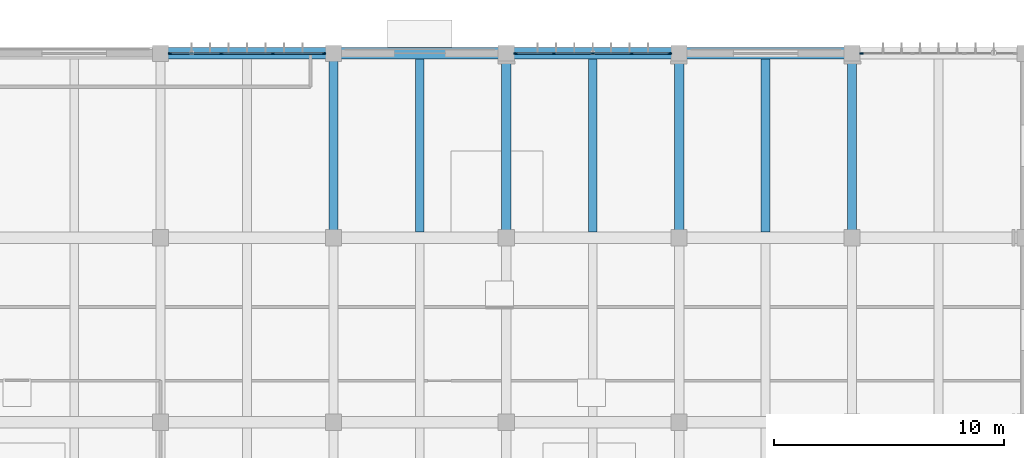
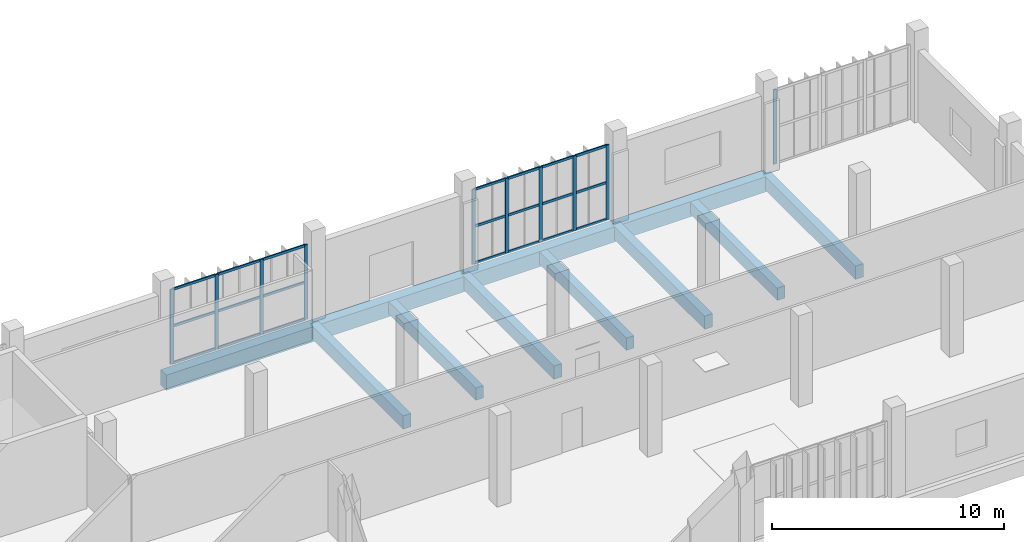
# One storey, part 23 of 72: 31 members, 11 beams, 3 elements without a shape of their own.
"""IFC4 building model written with IfcOpenShell, lengths in metres."""

from ifc_helpers import new_model, si_unit, direction, frame, origin, origin_2d, place, context, subcontext, project, spatial, rectangle, extrude, material, material_profile, profile_set, type_object, element, aggregate, save


model = new_model("IFC4")

# Units and contexts
model_context = context("Model", 3, precision=1e-05, world=origin(), true_north=direction((0.0, 1.0)))
body_context = subcontext(model_context, "Body", "Model", "MODEL_VIEW")
ifc_project = project(units=[si_unit("LENGTHUNIT", "METRE"), si_unit("AREAUNIT", "SQUARE_METRE"), si_unit("VOLUMEUNIT", "CUBIC_METRE"), si_unit("PLANEANGLEUNIT", "RADIAN"), si_unit("MASSUNIT", "GRAM", prefix="KILO")], contexts=[model_context])

# Site, building, storey
site_placement = place(None, origin())
site = spatial("IfcSite", under=ifc_project, at=site_placement, CompositionType="ELEMENT")
building_placement = place(site_placement, origin())
building = spatial("IfcBuilding", under=site, at=building_placement, Name="Vourika Railside Aquatics Centre", CompositionType="ELEMENT")
storey_placement = place(building_placement, origin())
storey = spatial("IfcBuildingStorey", under=building, at=storey_placement, Name="L00", CompositionType="ELEMENT", Elevation=0.0)

# Beams
ifc_material_1 = material(Name="Concrete C35/45", Category="concrete")
ifc_material_profile_1 = material_profile(ifc_material_1, rectangle(XDim=0.39990234375, YDim=0.699951171875, at=origin_2d()), Name="RC 400x700")
ifc_profile_set_1 = profile_set([ifc_material_profile_1], Name="Concrete C35/45")
beam_type_1 = type_object("IfcBeamType", Name="BM-GIRD-400x700", PredefinedType="BEAM", material=ifc_profile_set_1)
for number, where, z_axis, x_axis, name in (
    (1, (103.5, 108.0, -0.669921875), (0.0, 1.0, 0.0), (-1.0, 0.0, 0.0), "Floor Girder GY-L00-285"),
    (2, (111.0, 108.0, -0.669921875), (0.0, 1.0, 0.0), (-1.0, 0.0, 0.0), "Floor Girder GY-L00-293"),
    (3, (118.5, 108.0, -0.669921875), (0.0, 1.0, 0.0), (-1.0, 0.0, 0.0), "Floor Girder GY-L00-300"),
    (4, (126.0, 108.0, -0.669921875), (0.0, 1.0, 0.0), (-1.0, 0.0, 0.0), "Floor Girder GY-L00-309"),
):
    element("IfcBeam", number, at=place(storey_placement, frame(where, z_axis=z_axis, x_axis=x_axis)), inside=storey, type_object=beam_type_1, Name=name, PredefinedType="BEAM", context=body_context, shape_type="SweptSolid", body=[
        extrude(rectangle(XDim=0.39990234375, YDim=0.699951171875, at=origin_2d()), origin(), (0.0, 0.0, 1.0), 8.0),
    ])
ifc_material_profile_2 = material_profile(ifc_material_1, rectangle(XDim=0.3798828125, YDim=0.64990234375, at=origin_2d()), Name="RC 380x650")
ifc_profile_set_2 = profile_set([ifc_material_profile_2], Name="Concrete C35/45")
beam_type_2 = type_object("IfcBeamType", Name="BM-SEC-380x650", PredefinedType="JOIST", material=ifc_profile_set_2)
for number, where, z_axis, x_axis, name in (
    (5, (107.25, 108.25, -0.64501953125), (0.0, 1.0, 0.0), (-1.0, 0.0, 0.0), "Secondary Joist JY-L00-471"),
    (6, (114.75, 108.25, -0.64501953125), (0.0, 1.0, 0.0), (-1.0, 0.0, 0.0), "Secondary Joist JY-L00-472"),
    (7, (122.25, 108.25, -0.64501953125), (0.0, 1.0, 0.0), (-1.0, 0.0, 0.0), "Secondary Joist JY-L00-473"),
):
    element("IfcBeam", number, at=place(storey_placement, frame(where, z_axis=z_axis, x_axis=x_axis)), inside=storey, type_object=beam_type_2, Name=name, PredefinedType="JOIST", context=body_context, shape_type="SweptSolid", body=[
        extrude(rectangle(XDim=0.3798828125, YDim=0.64990234375, at=origin_2d()), origin(), (0.0, 0.0, 1.0), 7.5),
    ])
ifc_material_2 = material(Name="Concrete C40/50", Category="concrete")
ifc_material_profile_3 = material_profile(ifc_material_2, rectangle(XDim=0.5, YDim=0.800048828125, at=origin_2d()), Name="RC 500x800")
ifc_profile_set_3 = profile_set([ifc_material_profile_3], Name="Concrete C40/50")
beam_type_3 = type_object("IfcBeamType", Name="BM-TIE-500x800", PredefinedType="BEAM", material=ifc_profile_set_3)
for number, where, z_axis, x_axis, name in (
    (8, (96.0, 116.0, -0.719970703125), (1.0, 0.0, 0.0), (0.0, 1.0, 0.0), "Floor Beam GX-L00-183"),
    (9, (103.5, 116.0, -0.719970703125), (1.0, 0.0, 0.0), (0.0, 1.0, 0.0), "Floor Beam GX-L00-184"),
    (10, (111.0, 116.0, -0.719970703125), (1.0, 0.0, 0.0), (0.0, 1.0, 0.0), "Floor Beam GX-L00-185"),
    (11, (118.5, 116.0, -0.719970703125), (1.0, 0.0, 0.0), (0.0, 1.0, 0.0), "Floor Beam GX-L00-186"),
):
    element("IfcBeam", number, at=place(storey_placement, frame(where, z_axis=z_axis, x_axis=x_axis)), inside=storey, type_object=beam_type_3, Name=name, PredefinedType="BEAM", context=body_context, shape_type="SweptSolid", body=[
        extrude(rectangle(XDim=0.5, YDim=0.800048828125, at=origin_2d()), origin(), (0.0, 0.0, 1.0), 7.5),
    ])

# Curtain wall, members
ifc_material_3 = material(Name="Anodized thermally broken aluminium", Category="aluminium")
curtain_wall_type = type_object("IfcCurtainWallType", Name="CW-FIT0", PredefinedType="NOTDEFINED", material=ifc_material_3)
curtain_wall_1_placement = place(storey_placement, origin())
curtain_wall_1 = element("IfcCurtainWall", 12, at=curtain_wall_1_placement, inside=storey, type_object=curtain_wall_type, Name="North Boulevard Curtain Wall L00-11", PredefinedType="NOTDEFINED")
ifc_material_4 = material(Name="Anodized aluminium mullion", Category="aluminium")
ifc_material_profile_4 = material_profile(ifc_material_4, rectangle(XDim=0.06494140625, YDim=0.1640625, at=origin_2d()), Name="ALU-M 65x164")
ifc_profile_set_4 = profile_set([ifc_material_profile_4], Name="Anodized aluminium mullion")
member_type_1 = type_object("IfcMemberType", Name="CWM-FIT0", PredefinedType="MULLION", material=ifc_profile_set_4)
member_1_placement = place(storey_placement, frame((103.08740234375, 116.0, 0.0), z_axis=(0.0, 0.0, 1.0), x_axis=(0.0, -1.0, 0.0)))
member_1 = element("IfcMember", 13, at=member_1_placement, type_object=member_type_1, Name="CW14 mullion 1", PredefinedType="MULLION", context=body_context, shape_type="SweptSolid", body=[
    extrude(rectangle(XDim=0.06494140625, YDim=0.1640625, at=origin_2d()), origin(), (0.0, 0.0, 1.0), 3.929931640625),
])
member_2_placement = place(storey_placement, frame((100.873291015625, 116.0, 0.0), z_axis=(0.0, 0.0, 1.0), x_axis=(0.0, -1.0, 0.0)))
member_2 = element("IfcMember", 14, at=member_2_placement, type_object=member_type_1, Name="CW14 mullion 2", PredefinedType="MULLION", context=body_context, shape_type="SweptSolid", body=[
    extrude(rectangle(XDim=0.06494140625, YDim=0.1640625, at=origin_2d()), origin(), (0.0, 0.0, 1.0), 3.929931640625),
])
member_3_placement = place(storey_placement, frame((98.626708984375, 116.0, 0.0), z_axis=(0.0, 0.0, 1.0), x_axis=(0.0, -1.0, 0.0)))
member_3 = element("IfcMember", 15, at=member_3_placement, type_object=member_type_1, Name="CW14 mullion 3", PredefinedType="MULLION", context=body_context, shape_type="SweptSolid", body=[
    extrude(rectangle(XDim=0.06494140625, YDim=0.1640625, at=origin_2d()), origin(), (0.0, 0.0, 1.0), 3.929931640625),
])
member_4_placement = place(storey_placement, frame((96.41259765625, 116.0, 0.0), z_axis=(0.0, 0.0, 1.0), x_axis=(0.0, -1.0, 0.0)))
member_4 = element("IfcMember", 16, at=member_4_placement, type_object=member_type_1, Name="CW14 mullion 4", PredefinedType="MULLION", context=body_context, shape_type="SweptSolid", body=[
    extrude(rectangle(XDim=0.06494140625, YDim=0.1640625, at=origin_2d()), origin(), (0.0, 0.0, 1.0), 3.929931640625),
])

curtain_wall_2_placement = place(storey_placement, origin())
curtain_wall_2 = element("IfcCurtainWall", 17, at=curtain_wall_2_placement, inside=storey, type_object=curtain_wall_type, Name="North Boulevard Curtain Wall L00-13", PredefinedType="NOTDEFINED")
member_5_placement = place(storey_placement, frame((118.08740234375, 116.0, 0.0), z_axis=(0.0, 0.0, 1.0), x_axis=(0.0, -1.0, 0.0)))
member_5 = element("IfcMember", 18, at=member_5_placement, type_object=member_type_1, Name="CW14 mullion 1", PredefinedType="MULLION", context=body_context, shape_type="SweptSolid", body=[
    extrude(rectangle(XDim=0.06494140625, YDim=0.1640625, at=origin_2d()), origin(), (0.0, 0.0, 1.0), 3.929931640625),
])
member_6_placement = place(storey_placement, frame((116.43505859375, 116.0, 0.0), z_axis=(0.0, 0.0, 1.0), x_axis=(0.0, -1.0, 0.0)))
member_6 = element("IfcMember", 19, at=member_6_placement, type_object=member_type_1, Name="CW14 mullion 2", PredefinedType="MULLION", context=body_context, shape_type="SweptSolid", body=[
    extrude(rectangle(XDim=0.06494140625, YDim=0.1640625, at=origin_2d()), origin(), (0.0, 0.0, 1.0), 3.929931640625),
])
member_7_placement = place(storey_placement, frame((114.75, 116.0, 0.0), z_axis=(0.0, 0.0, 1.0), x_axis=(0.0, -1.0, 0.0)))
member_7 = element("IfcMember", 20, at=member_7_placement, type_object=member_type_1, Name="CW14 mullion 3", PredefinedType="MULLION", context=body_context, shape_type="SweptSolid", body=[
    extrude(rectangle(XDim=0.06494140625, YDim=0.1640625, at=origin_2d()), origin(), (0.0, 0.0, 1.0), 3.929931640625),
])
member_8_placement = place(storey_placement, frame((113.06494140625, 116.0, 0.0), z_axis=(0.0, 0.0, 1.0), x_axis=(0.0, -1.0, 0.0)))
member_8 = element("IfcMember", 21, at=member_8_placement, type_object=member_type_1, Name="CW14 mullion 4", PredefinedType="MULLION", context=body_context, shape_type="SweptSolid", body=[
    extrude(rectangle(XDim=0.06494140625, YDim=0.1640625, at=origin_2d()), origin(), (0.0, 0.0, 1.0), 3.929931640625),
])
member_9_placement = place(storey_placement, frame((111.41259765625, 116.0, 0.0), z_axis=(0.0, 0.0, 1.0), x_axis=(0.0, -1.0, 0.0)))
member_9 = element("IfcMember", 22, at=member_9_placement, type_object=member_type_1, Name="CW14 mullion 5", PredefinedType="MULLION", context=body_context, shape_type="SweptSolid", body=[
    extrude(rectangle(XDim=0.06494140625, YDim=0.1640625, at=origin_2d()), origin(), (0.0, 0.0, 1.0), 3.929931640625),
])

# Curtain wall, member
curtain_wall_3_placement = place(storey_placement, origin())
curtain_wall_3 = element("IfcCurtainWall", 23, at=curtain_wall_3_placement, inside=storey, type_object=curtain_wall_type, Name="North Boulevard Curtain Wall L00-15", PredefinedType="NOTDEFINED")
member_10_placement = place(storey_placement, frame((126.41259765625, 116.0, 0.0), z_axis=(0.0, 0.0, 1.0), x_axis=(0.0, -1.0, 0.0)))
member_10 = element("IfcMember", 24, at=member_10_placement, type_object=member_type_1, Name="CW14 mullion 4", PredefinedType="MULLION", context=body_context, shape_type="SweptSolid", body=[
    extrude(rectangle(XDim=0.06494140625, YDim=0.1640625, at=origin_2d()), origin(), (0.0, 0.0, 1.0), 3.929931640625),
])
aggregate(curtain_wall_3, [member_10])

# Member
ifc_material_5 = material(Name="Anodized aluminium transom", Category="aluminium")
ifc_material_profile_5 = material_profile(ifc_material_5, rectangle(XDim=0.06494140625, YDim=0.1279296875, at=origin_2d()), Name="ALU-T 65x128")
ifc_profile_set_5 = profile_set([ifc_material_profile_5], Name="Anodized aluminium transom")
member_type_2 = type_object("IfcMemberType", Name="CWT-FIT0", PredefinedType="USERDEFINED", material=ifc_profile_set_5)
member_11_placement = place(storey_placement, frame((103.054931640625, 116.0, 0.032470703125), z_axis=(-1.0, 0.0, 0.0), x_axis=(0.0, -1.0, 0.0)))
member_11 = element("IfcMember", 25, at=member_11_placement, type_object=member_type_2, Name="CW14 transom 1.1", ObjectType="TRANSOM", PredefinedType="USERDEFINED", context=body_context, shape_type="SweptSolid", body=[
    extrude(rectangle(XDim=0.06494140625, YDim=0.1279296875, at=origin_2d()), origin(), (0.0, 0.0, 1.0), 2.149169921875),
])

member_12_placement = place(storey_placement, frame((103.054931640625, 116.0, 1.965087890625), z_axis=(-1.0, 0.0, 0.0), x_axis=(0.0, -1.0, 0.0)))
member_12 = element("IfcMember", 26, at=member_12_placement, type_object=member_type_2, Name="CW14 transom 1.2", ObjectType="TRANSOM", PredefinedType="USERDEFINED", context=body_context, shape_type="SweptSolid", body=[
    extrude(rectangle(XDim=0.06494140625, YDim=0.1279296875, at=origin_2d()), origin(), (0.0, 0.0, 1.0), 2.149169921875),
])

member_13_placement = place(storey_placement, frame((103.054931640625, 116.0, 3.8974609375), z_axis=(-1.0, 0.0, 0.0), x_axis=(0.0, -1.0, 0.0)))
member_13 = element("IfcMember", 27, at=member_13_placement, type_object=member_type_2, Name="CW14 transom 1.3", ObjectType="TRANSOM", PredefinedType="USERDEFINED", context=body_context, shape_type="SweptSolid", body=[
    extrude(rectangle(XDim=0.06494140625, YDim=0.1279296875, at=origin_2d()), origin(), (0.0, 0.0, 1.0), 2.149169921875),
])

member_14_placement = place(storey_placement, frame((100.8408203125, 116.0, 0.032470703125), z_axis=(-1.0, 0.0, 0.0), x_axis=(0.0, -1.0, 0.0)))
member_14 = element("IfcMember", 28, at=member_14_placement, type_object=member_type_2, Name="CW14 transom 2.1", ObjectType="TRANSOM", PredefinedType="USERDEFINED", context=body_context, shape_type="SweptSolid", body=[
    extrude(rectangle(XDim=0.06494140625, YDim=0.1279296875, at=origin_2d()), origin(), (0.0, 0.0, 1.0), 2.181640625),
])

member_15_placement = place(storey_placement, frame((100.8408203125, 116.0, 1.965087890625), z_axis=(-1.0, 0.0, 0.0), x_axis=(0.0, -1.0, 0.0)))
member_15 = element("IfcMember", 29, at=member_15_placement, type_object=member_type_2, Name="CW14 transom 2.2", ObjectType="TRANSOM", PredefinedType="USERDEFINED", context=body_context, shape_type="SweptSolid", body=[
    extrude(rectangle(XDim=0.06494140625, YDim=0.1279296875, at=origin_2d()), origin(), (0.0, 0.0, 1.0), 2.181640625),
])

member_16_placement = place(storey_placement, frame((100.8408203125, 116.0, 3.8974609375), z_axis=(-1.0, 0.0, 0.0), x_axis=(0.0, -1.0, 0.0)))
member_16 = element("IfcMember", 30, at=member_16_placement, type_object=member_type_2, Name="CW14 transom 2.3", ObjectType="TRANSOM", PredefinedType="USERDEFINED", context=body_context, shape_type="SweptSolid", body=[
    extrude(rectangle(XDim=0.06494140625, YDim=0.1279296875, at=origin_2d()), origin(), (0.0, 0.0, 1.0), 2.181640625),
])

member_17_placement = place(storey_placement, frame((98.59423828125, 116.0, 0.032470703125), z_axis=(-1.0, 0.0, 0.0), x_axis=(0.0, -1.0, 0.0)))
member_17 = element("IfcMember", 31, at=member_17_placement, type_object=member_type_2, Name="CW14 transom 3.1", ObjectType="TRANSOM", PredefinedType="USERDEFINED", context=body_context, shape_type="SweptSolid", body=[
    extrude(rectangle(XDim=0.06494140625, YDim=0.1279296875, at=origin_2d()), origin(), (0.0, 0.0, 1.0), 2.149169921875),
])

member_18_placement = place(storey_placement, frame((98.59423828125, 116.0, 1.965087890625), z_axis=(-1.0, 0.0, 0.0), x_axis=(0.0, -1.0, 0.0)))
member_18 = element("IfcMember", 32, at=member_18_placement, type_object=member_type_2, Name="CW14 transom 3.2", ObjectType="TRANSOM", PredefinedType="USERDEFINED", context=body_context, shape_type="SweptSolid", body=[
    extrude(rectangle(XDim=0.06494140625, YDim=0.1279296875, at=origin_2d()), origin(), (0.0, 0.0, 1.0), 2.149169921875),
])

member_19_placement = place(storey_placement, frame((98.59423828125, 116.0, 3.8974609375), z_axis=(-1.0, 0.0, 0.0), x_axis=(0.0, -1.0, 0.0)))
member_19 = element("IfcMember", 33, at=member_19_placement, type_object=member_type_2, Name="CW14 transom 3.3", ObjectType="TRANSOM", PredefinedType="USERDEFINED", context=body_context, shape_type="SweptSolid", body=[
    extrude(rectangle(XDim=0.06494140625, YDim=0.1279296875, at=origin_2d()), origin(), (0.0, 0.0, 1.0), 2.149169921875),
])

aggregate(curtain_wall_1, [member_1, member_2, member_3, member_4, member_11, member_12, member_13, member_14, member_15, member_16, member_17, member_18, member_19])

member_20_placement = place(storey_placement, frame((118.054931640625, 116.0, 0.032470703125), z_axis=(-1.0, 0.0, 0.0), x_axis=(0.0, -1.0, 0.0)))
member_20 = element("IfcMember", 34, at=member_20_placement, type_object=member_type_2, Name="CW14 transom 1.1", ObjectType="TRANSOM", PredefinedType="USERDEFINED", context=body_context, shape_type="SweptSolid", body=[
    extrude(rectangle(XDim=0.06494140625, YDim=0.1279296875, at=origin_2d()), origin(), (0.0, 0.0, 1.0), 1.58740234375),
])

member_21_placement = place(storey_placement, frame((118.054931640625, 116.0, 1.965087890625), z_axis=(-1.0, 0.0, 0.0), x_axis=(0.0, -1.0, 0.0)))
member_21 = element("IfcMember", 35, at=member_21_placement, type_object=member_type_2, Name="CW14 transom 1.2", ObjectType="TRANSOM", PredefinedType="USERDEFINED", context=body_context, shape_type="SweptSolid", body=[
    extrude(rectangle(XDim=0.06494140625, YDim=0.1279296875, at=origin_2d()), origin(), (0.0, 0.0, 1.0), 1.58740234375),
])

member_22_placement = place(storey_placement, frame((118.054931640625, 116.0, 3.8974609375), z_axis=(-1.0, 0.0, 0.0), x_axis=(0.0, -1.0, 0.0)))
member_22 = element("IfcMember", 36, at=member_22_placement, type_object=member_type_2, Name="CW14 transom 1.3", ObjectType="TRANSOM", PredefinedType="USERDEFINED", context=body_context, shape_type="SweptSolid", body=[
    extrude(rectangle(XDim=0.06494140625, YDim=0.1279296875, at=origin_2d()), origin(), (0.0, 0.0, 1.0), 1.58740234375),
])

member_23_placement = place(storey_placement, frame((116.402587890625, 116.0, 0.032470703125), z_axis=(-1.0, 0.0, 0.0), x_axis=(0.0, -1.0, 0.0)))
member_23 = element("IfcMember", 37, at=member_23_placement, type_object=member_type_2, Name="CW14 transom 2.1", ObjectType="TRANSOM", PredefinedType="USERDEFINED", context=body_context, shape_type="SweptSolid", body=[
    extrude(rectangle(XDim=0.06494140625, YDim=0.1279296875, at=origin_2d()), origin(), (0.0, 0.0, 1.0), 1.6201171875),
])

member_24_placement = place(storey_placement, frame((116.402587890625, 116.0, 1.965087890625), z_axis=(-1.0, 0.0, 0.0), x_axis=(0.0, -1.0, 0.0)))
member_24 = element("IfcMember", 38, at=member_24_placement, type_object=member_type_2, Name="CW14 transom 2.2", ObjectType="TRANSOM", PredefinedType="USERDEFINED", context=body_context, shape_type="SweptSolid", body=[
    extrude(rectangle(XDim=0.06494140625, YDim=0.1279296875, at=origin_2d()), origin(), (0.0, 0.0, 1.0), 1.6201171875),
])

member_25_placement = place(storey_placement, frame((116.402587890625, 116.0, 3.8974609375), z_axis=(-1.0, 0.0, 0.0), x_axis=(0.0, -1.0, 0.0)))
member_25 = element("IfcMember", 39, at=member_25_placement, type_object=member_type_2, Name="CW14 transom 2.3", ObjectType="TRANSOM", PredefinedType="USERDEFINED", context=body_context, shape_type="SweptSolid", body=[
    extrude(rectangle(XDim=0.06494140625, YDim=0.1279296875, at=origin_2d()), origin(), (0.0, 0.0, 1.0), 1.6201171875),
])

member_26_placement = place(storey_placement, frame((114.717529296875, 116.0, 0.032470703125), z_axis=(-1.0, 0.0, 0.0), x_axis=(0.0, -1.0, 0.0)))
member_26 = element("IfcMember", 40, at=member_26_placement, type_object=member_type_2, Name="CW14 transom 3.1", ObjectType="TRANSOM", PredefinedType="USERDEFINED", context=body_context, shape_type="SweptSolid", body=[
    extrude(rectangle(XDim=0.06494140625, YDim=0.1279296875, at=origin_2d()), origin(), (0.0, 0.0, 1.0), 1.6201171875),
])

member_27_placement = place(storey_placement, frame((114.717529296875, 116.0, 1.965087890625), z_axis=(-1.0, 0.0, 0.0), x_axis=(0.0, -1.0, 0.0)))
member_27 = element("IfcMember", 41, at=member_27_placement, type_object=member_type_2, Name="CW14 transom 3.2", ObjectType="TRANSOM", PredefinedType="USERDEFINED", context=body_context, shape_type="SweptSolid", body=[
    extrude(rectangle(XDim=0.06494140625, YDim=0.1279296875, at=origin_2d()), origin(), (0.0, 0.0, 1.0), 1.6201171875),
])

member_28_placement = place(storey_placement, frame((114.717529296875, 116.0, 3.8974609375), z_axis=(-1.0, 0.0, 0.0), x_axis=(0.0, -1.0, 0.0)))
member_28 = element("IfcMember", 42, at=member_28_placement, type_object=member_type_2, Name="CW14 transom 3.3", ObjectType="TRANSOM", PredefinedType="USERDEFINED", context=body_context, shape_type="SweptSolid", body=[
    extrude(rectangle(XDim=0.06494140625, YDim=0.1279296875, at=origin_2d()), origin(), (0.0, 0.0, 1.0), 1.6201171875),
])

member_29_placement = place(storey_placement, frame((113.032470703125, 116.0, 0.032470703125), z_axis=(-1.0, 0.0, 0.0), x_axis=(0.0, -1.0, 0.0)))
member_29 = element("IfcMember", 43, at=member_29_placement, type_object=member_type_2, Name="CW14 transom 4.1", ObjectType="TRANSOM", PredefinedType="USERDEFINED", context=body_context, shape_type="SweptSolid", body=[
    extrude(rectangle(XDim=0.06494140625, YDim=0.1279296875, at=origin_2d()), origin(), (0.0, 0.0, 1.0), 1.58740234375),
])

member_30_placement = place(storey_placement, frame((113.032470703125, 116.0, 1.965087890625), z_axis=(-1.0, 0.0, 0.0), x_axis=(0.0, -1.0, 0.0)))
member_30 = element("IfcMember", 44, at=member_30_placement, type_object=member_type_2, Name="CW14 transom 4.2", ObjectType="TRANSOM", PredefinedType="USERDEFINED", context=body_context, shape_type="SweptSolid", body=[
    extrude(rectangle(XDim=0.06494140625, YDim=0.1279296875, at=origin_2d()), origin(), (0.0, 0.0, 1.0), 1.58740234375),
])

member_31_placement = place(storey_placement, frame((113.032470703125, 116.0, 3.8974609375), z_axis=(-1.0, 0.0, 0.0), x_axis=(0.0, -1.0, 0.0)))
member_31 = element("IfcMember", 45, at=member_31_placement, type_object=member_type_2, Name="CW14 transom 4.3", ObjectType="TRANSOM", PredefinedType="USERDEFINED", context=body_context, shape_type="SweptSolid", body=[
    extrude(rectangle(XDim=0.06494140625, YDim=0.1279296875, at=origin_2d()), origin(), (0.0, 0.0, 1.0), 1.58740234375),
])

aggregate(curtain_wall_2, [member_5, member_6, member_7, member_8, member_9, member_20, member_21, member_22, member_23, member_24, member_25, member_26, member_27, member_28, member_29, member_30, member_31])

save(model, "model.ifc")
